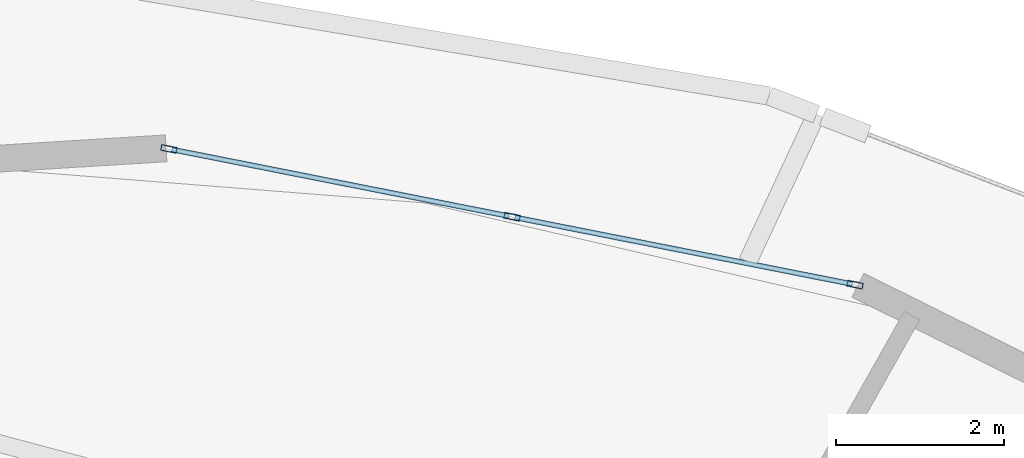
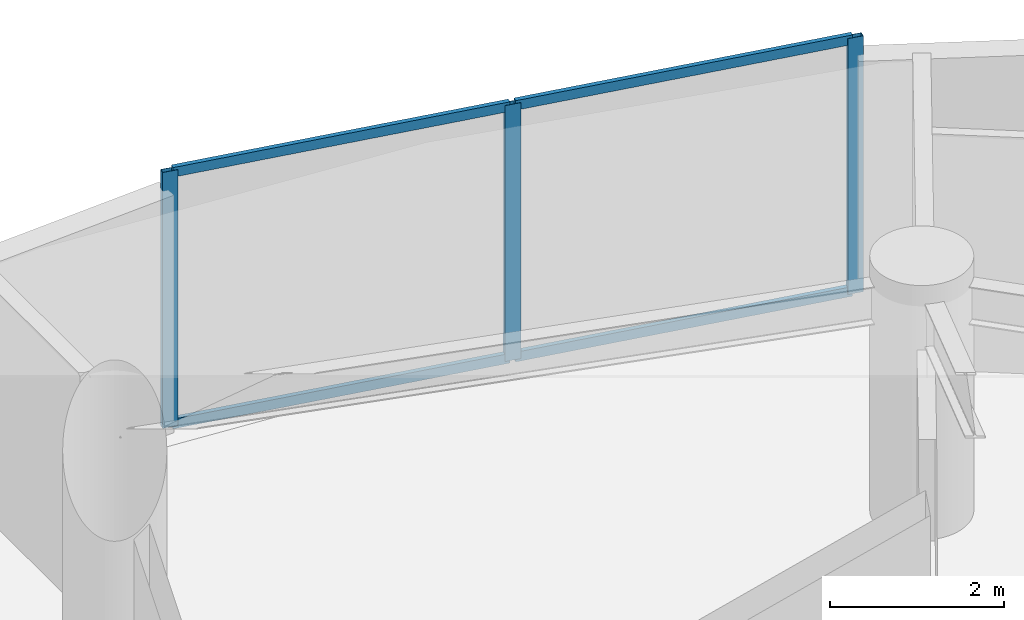
# One storey, part 16 of 25: 7 members, 1 element without a shape of its own.
"""IFC4 building model written with IfcOpenShell, lengths in metres."""

from ifc_helpers import new_model, si_unit, direction, frame, origin, origin_2d, place, context, subcontext, project, spatial, hollow_rectangle, extrude, source, transform, mapped, material, layer, layer_set, material_profile, profile_set, type_object, element, aggregate, save


model = new_model("IFC4")

# Units and contexts
model_context = context("Model", 3, precision=1e-05, world=origin(), true_north=direction((0.0, 1.0)))
body_context = subcontext(model_context, "Body", "Model", "MODEL_VIEW")
ifc_project = project(units=[si_unit("LENGTHUNIT", "METRE"), si_unit("AREAUNIT", "SQUARE_METRE"), si_unit("VOLUMEUNIT", "CUBIC_METRE"), si_unit("PLANEANGLEUNIT", "RADIAN"), si_unit("MASSUNIT", "GRAM", prefix="KILO")], contexts=[model_context])

# Site, building, storey
site_placement = place(None, origin())
site = spatial("IfcSite", under=ifc_project, at=site_placement, CompositionType="ELEMENT")
building_placement = place(site_placement, origin())
building = spatial("IfcBuilding", under=site, at=building_placement, Name="Solvirekh Grand Hotel", CompositionType="ELEMENT")
storey_placement = place(building_placement, frame((0.0, 0.0, 28.39990234375)))
storey = spatial("IfcBuildingStorey", under=building, at=storey_placement, Name="L05", CompositionType="ELEMENT", Elevation=28.39990234375)

# Curtain wall, members
ifc_material = material(Name="Anodized Bronze Aluminium 6063-T6", Category="aluminium")
ifc_layer = layer(ifc_material, 0.18994140625)
ifc_layer_set = layer_set([ifc_layer], Name="Anodized Bronze Aluminium 6063-T6")
curtain_wall_type = type_object("IfcCurtainWallType", Name="CW_Sys2_LowZoneFlushBronzeCW", PredefinedType="NOTDEFINED", material=ifc_layer_set)
curtain_wall_placement = place(storey_placement, origin())
curtain_wall = element("IfcCurtainWall", 1, at=curtain_wall_placement, inside=storey, type_object=curtain_wall_type, Name="L05 unitised bronze-glass curtain wall CW-L05-C05", PredefinedType="NOTDEFINED")
ifc_material_profile_1 = material_profile(ifc_material, hollow_rectangle(XDim=0.070068359375, YDim=0.18994140625, WallThickness=0.0048828125, at=origin_2d()), Name="ALU RHS 190X70X5")
ifc_profile_set_1 = profile_set([ifc_material_profile_1], Name="Anodized Bronze Aluminium 6063-T6")
member_type_1 = type_object("IfcMemberType", Name="CWMullion_Sys2", PredefinedType="MULLION", material=ifc_profile_set_1)
shared_shape_1 = source(origin(), body_context, "Body", "SweptSolid", [
    extrude(hollow_rectangle(XDim=0.070068359375, YDim=0.18994140625, WallThickness=0.0048828125, at=origin_2d()), origin(), (0.0, 0.0, 1.0), 3.60009765625),
])
member_1_placement = place(storey_placement, frame((10.841552734375, 20.32470703125, 0.0), z_axis=(0.0, 0.0, 1.0), x_axis=(-0.194104185406, -0.9809809199, 0.0)))
member_1 = element("IfcMember", 2, at=member_1_placement, type_object=member_type_1, Name="U02 mullion 1", PredefinedType="MULLION", context=body_context, shape_type="MappedRepresentation", body=[
    mapped(shared_shape_1, transform((0.0, 0.0, 0.0), x_axis=(1.0, 0.0, 0.0), y_axis=(0.0, 1.0, 0.0), z_axis=(0.0, 0.0, 1.0), scale=1.0)),
])
member_2_placement = place(storey_placement, frame((6.74951171875, 21.134521484375, 0.0), z_axis=(0.0, 0.0, 1.0), x_axis=(-0.194104185406, -0.9809809199, 0.0)))
member_2 = element("IfcMember", 3, at=member_2_placement, type_object=member_type_1, Name="U02 mullion 2", PredefinedType="MULLION", context=body_context, shape_type="MappedRepresentation", body=[
    mapped(shared_shape_1, transform((0.0, 0.0, 0.0), x_axis=(1.0, 0.0, 0.0), y_axis=(0.0, 1.0, 0.0), z_axis=(0.0, 0.0, 1.0), scale=1.0)),
])
member_3_placement = place(storey_placement, frame((2.6572265625, 21.944091796875, 0.0), z_axis=(0.0, 0.0, 1.0), x_axis=(-0.194104185406, -0.9809809199, 0.0)))
member_3 = element("IfcMember", 4, at=member_3_placement, type_object=member_type_1, Name="U02 mullion 3", PredefinedType="MULLION", context=body_context, shape_type="MappedRepresentation", body=[
    mapped(shared_shape_1, transform((0.0, 0.0, 0.0), x_axis=(1.0, 0.0, 0.0), y_axis=(0.0, 1.0, 0.0), z_axis=(0.0, 0.0, 1.0), scale=1.0)),
])
ifc_material_profile_2 = material_profile(ifc_material, hollow_rectangle(XDim=0.06005859375, YDim=0.135009765625, WallThickness=0.00390625, at=origin_2d()), Name="ALU RHS 135X60X4")
ifc_profile_set_2 = profile_set([ifc_material_profile_2], Name="Anodized Bronze Aluminium 6063-T6")
member_type_2 = type_object("IfcMemberType", Name="CWTransom_Sys2", PredefinedType="USERDEFINED", material=ifc_profile_set_2)
shared_shape_2 = source(origin(), body_context, "Body", "SweptSolid", [
    extrude(hollow_rectangle(XDim=0.06005859375, YDim=0.135009765625, WallThickness=0.00390625, at=origin_2d()), origin(), (0.0, 0.0, 1.0), 4.1015625),
])
member_4_placement = place(storey_placement, frame((10.807373046875, 20.33154296875, 0.030029296875), z_axis=(-0.980979281439, 0.194112465824, 0.0), x_axis=(-0.194112465824, -0.980979281439, 0.0)))
member_4 = element("IfcMember", 5, at=member_4_placement, type_object=member_type_2, Name="U02 transom 1.1", ObjectType="TRANSOM", PredefinedType="USERDEFINED", context=body_context, shape_type="MappedRepresentation", body=[
    mapped(shared_shape_2, transform((0.0, 0.0, 0.0), x_axis=(1.0, 0.0, 0.0), y_axis=(0.0, 1.0, 0.0), z_axis=(0.0, 0.0, 1.0), scale=1.0)),
])
member_5_placement = place(storey_placement, frame((10.807373046875, 20.33154296875, 3.570068359375), z_axis=(-0.980979281439, 0.194112465824, 0.0), x_axis=(-0.194112465824, -0.980979281439, 0.0)))
member_5 = element("IfcMember", 6, at=member_5_placement, type_object=member_type_2, Name="U02 transom 1.2", ObjectType="TRANSOM", PredefinedType="USERDEFINED", context=body_context, shape_type="MappedRepresentation", body=[
    mapped(shared_shape_2, transform((0.0, 0.0, 0.0), x_axis=(1.0, 0.0, 0.0), y_axis=(0.0, 1.0, 0.0), z_axis=(0.0, 0.0, 1.0), scale=1.0)),
])
member_6_placement = place(storey_placement, frame((6.715087890625, 21.141357421875, 0.030029296875), z_axis=(-0.980979281439, 0.194112465824, 0.0), x_axis=(-0.194112465824, -0.980979281439, 0.0)))
member_6 = element("IfcMember", 7, at=member_6_placement, type_object=member_type_2, Name="U02 transom 2.1", ObjectType="TRANSOM", PredefinedType="USERDEFINED", context=body_context, shape_type="MappedRepresentation", body=[
    mapped(shared_shape_2, transform((0.0, 0.0, 0.0), x_axis=(1.0, 0.0, 0.0), y_axis=(0.0, 1.0, 0.0), z_axis=(0.0, 0.0, 1.0), scale=1.0)),
])
member_7_placement = place(storey_placement, frame((6.715087890625, 21.141357421875, 3.570068359375), z_axis=(-0.980979281439, 0.194112465824, 0.0), x_axis=(-0.194112465824, -0.980979281439, 0.0)))
member_7 = element("IfcMember", 8, at=member_7_placement, type_object=member_type_2, Name="U02 transom 2.2", ObjectType="TRANSOM", PredefinedType="USERDEFINED", context=body_context, shape_type="MappedRepresentation", body=[
    mapped(shared_shape_2, transform((0.0, 0.0, 0.0), x_axis=(1.0, 0.0, 0.0), y_axis=(0.0, 1.0, 0.0), z_axis=(0.0, 0.0, 1.0), scale=1.0)),
])
aggregate(curtain_wall, [member_1, member_2, member_3, member_4, member_5, member_6, member_7])

save(model, "model.ifc")
